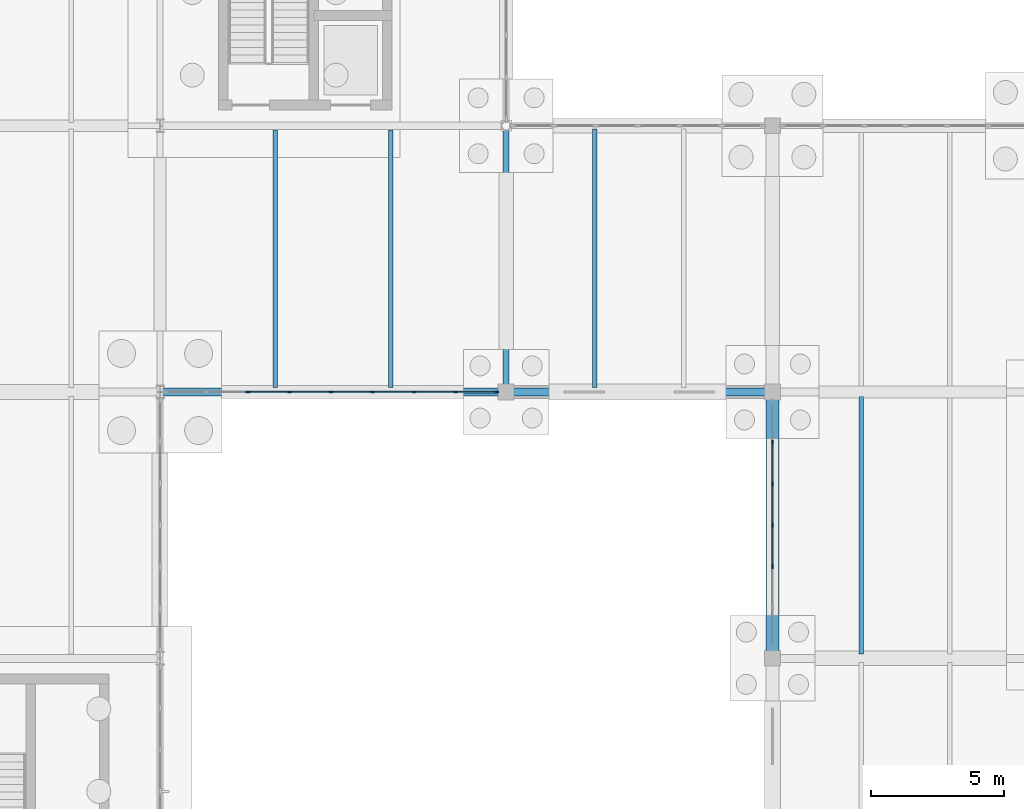
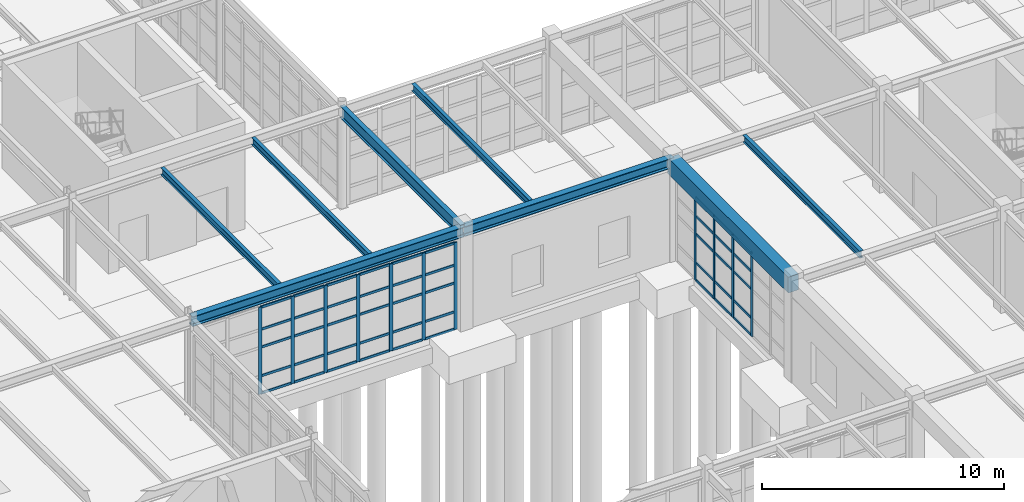
# One storey, part 72 of 145: 56 members, 8 beams, 2 elements without a shape of their own.
"""IFC4 building model written with IfcOpenShell, lengths in metres."""

from ifc_helpers import new_model, si_unit, direction, frame, origin, origin_2d, place, context, subcontext, project, spatial, rectangle, i_section, extrude, material, layer, layer_set, material_profile, profile_set, type_object, element, aggregate, save


model = new_model("IFC4")

# Units and contexts
model_context = context("Model", 3, precision=1e-05, world=origin(), true_north=direction((0.0, 1.0)))
body_context = subcontext(model_context, "Body", "Model", "MODEL_VIEW")
ifc_project = project(units=[si_unit("LENGTHUNIT", "METRE"), si_unit("AREAUNIT", "SQUARE_METRE"), si_unit("VOLUMEUNIT", "CUBIC_METRE"), si_unit("PLANEANGLEUNIT", "RADIAN"), si_unit("MASSUNIT", "GRAM", prefix="KILO"), si_unit("THERMODYNAMICTEMPERATUREUNIT", "KELVIN"), si_unit("POWERUNIT", "WATT")], contexts=[model_context])

# Site, building, storey
site_placement = place(None, origin())
site = spatial("IfcSite", under=ifc_project, at=site_placement, CompositionType="ELEMENT")
building_placement = place(site_placement, origin())
building = spatial("IfcBuilding", under=site, at=building_placement, Name="Korenveer Ferry Terminal", CompositionType="ELEMENT")
storey_placement = place(building_placement, origin())
storey = spatial("IfcBuildingStorey", under=building, at=storey_placement, Name="L00", CompositionType="ELEMENT", Elevation=0.0)

# Curtain wall, members
ifc_material_1 = material(Name="Unitised bronze-and-glass curtain wall", Category="glass")
ifc_layer_1 = layer(ifc_material_1, 0.159912109375)
ifc_layer_set_1 = layer_set([ifc_layer_1], Name="Unitised bronze-and-glass curtain wall")
curtain_wall_type_1 = type_object("IfcCurtainWallType", Name="ENV-CW-07", PredefinedType="USERDEFINED", material=ifc_layer_set_1)
curtain_wall_1_placement = place(storey_placement, frame((123.179931640625, 70.0, 0.0)))
curtain_wall_1 = element("IfcCurtainWall", 1, at=curtain_wall_1_placement, inside=storey, type_object=curtain_wall_type_1, Name="Lancet curtain wall CWX-L00-X123-136-Y70-70", ObjectType="UNITISED CURTAIN WALL", PredefinedType="USERDEFINED")
ifc_material_2 = material(Name="Anodised bronze aluminium", Category="aluminium")
ifc_material_profile_1 = material_profile(ifc_material_2, rectangle(XDim=0.06005859375, YDim=0.159912109375, at=origin_2d()), Name="ALU 60x160")
ifc_profile_set_1 = profile_set([ifc_material_profile_1], Name="Anodised bronze aluminium")
member_type_1 = type_object("IfcMemberType", Name="ENV-CWM-60X160", PredefinedType="MULLION", material=ifc_profile_set_1)
member_1_placement = place(storey_placement, frame((126.302490234375, 70.0, 0.0), z_axis=(0.0, 0.0, 1.0), x_axis=(0.0, 1.0, 0.0)))
member_1 = element("IfcMember", 2, at=member_1_placement, type_object=member_type_1, Name="CW-07 mullion 3", PredefinedType="MULLION", context=body_context, shape_type="SweptSolid", body=[
    extrude(rectangle(XDim=0.06005859375, YDim=0.159912109375, at=origin_2d()), origin(), (0.0, 0.0, 1.0), 4.389892578125),
])
member_2_placement = place(storey_placement, frame((127.86376953125, 70.0, 0.0), z_axis=(0.0, 0.0, 1.0), x_axis=(0.0, 1.0, 0.0)))
member_2 = element("IfcMember", 3, at=member_2_placement, type_object=member_type_1, Name="CW-07 mullion 4", PredefinedType="MULLION", context=body_context, shape_type="SweptSolid", body=[
    extrude(rectangle(XDim=0.06005859375, YDim=0.159912109375, at=origin_2d()), origin(), (0.0, 0.0, 1.0), 4.389892578125),
])
member_3_placement = place(storey_placement, frame((129.425048828125, 70.0, 0.0), z_axis=(0.0, 0.0, 1.0), x_axis=(0.0, 1.0, 0.0)))
member_3 = element("IfcMember", 4, at=member_3_placement, type_object=member_type_1, Name="CW-07 mullion 5", PredefinedType="MULLION", context=body_context, shape_type="SweptSolid", body=[
    extrude(rectangle(XDim=0.06005859375, YDim=0.159912109375, at=origin_2d()), origin(), (0.0, 0.0, 1.0), 4.389892578125),
])
member_4_placement = place(storey_placement, frame((130.986328125, 70.0, 0.0), z_axis=(0.0, 0.0, 1.0), x_axis=(0.0, 1.0, 0.0)))
member_4 = element("IfcMember", 5, at=member_4_placement, type_object=member_type_1, Name="CW-07 mullion 6", PredefinedType="MULLION", context=body_context, shape_type="SweptSolid", body=[
    extrude(rectangle(XDim=0.06005859375, YDim=0.159912109375, at=origin_2d()), origin(), (0.0, 0.0, 1.0), 4.389892578125),
])
member_5_placement = place(storey_placement, frame((132.547607421875, 70.0, 0.0), z_axis=(0.0, 0.0, 1.0), x_axis=(0.0, 1.0, 0.0)))
member_5 = element("IfcMember", 6, at=member_5_placement, type_object=member_type_1, Name="CW-07 mullion 7", PredefinedType="MULLION", context=body_context, shape_type="SweptSolid", body=[
    extrude(rectangle(XDim=0.06005859375, YDim=0.159912109375, at=origin_2d()), origin(), (0.0, 0.0, 1.0), 4.389892578125),
])
member_6_placement = place(storey_placement, frame((134.108642578125, 70.0, 0.0), z_axis=(0.0, 0.0, 1.0), x_axis=(0.0, 1.0, 0.0)))
member_6 = element("IfcMember", 7, at=member_6_placement, type_object=member_type_1, Name="CW-07 mullion 8", PredefinedType="MULLION", context=body_context, shape_type="SweptSolid", body=[
    extrude(rectangle(XDim=0.06005859375, YDim=0.159912109375, at=origin_2d()), origin(), (0.0, 0.0, 1.0), 4.389892578125),
])
member_7_placement = place(storey_placement, frame((135.639892578125, 70.0, 0.0), z_axis=(0.0, 0.0, 1.0), x_axis=(0.0, 1.0, 0.0)))
member_7 = element("IfcMember", 8, at=member_7_placement, type_object=member_type_1, Name="CW-07 mullion 9", PredefinedType="MULLION", context=body_context, shape_type="SweptSolid", body=[
    extrude(rectangle(XDim=0.06005859375, YDim=0.159912109375, at=origin_2d()), origin(), (0.0, 0.0, 1.0), 4.389892578125),
])

ifc_layer_2 = layer(ifc_material_1, 0.159912109375)
ifc_layer_set_2 = layer_set([ifc_layer_2], Name="Unitised bronze-and-glass curtain wall")
curtain_wall_type_2 = type_object("IfcCurtainWallType", Name="ENV-CW-32", PredefinedType="USERDEFINED", material=ifc_layer_set_2)
curtain_wall_2_placement = place(storey_placement, frame((146.0, 60.330078125, 0.0)))
curtain_wall_2 = element("IfcCurtainWall", 9, at=curtain_wall_2_placement, inside=storey, type_object=curtain_wall_type_2, Name="Lancet curtain wall CWX-L00-X146-146-Y60-70", ObjectType="UNITISED CURTAIN WALL", PredefinedType="USERDEFINED")
member_8_placement = place(storey_placement, frame((146.0, 63.443359375, 0.0), z_axis=(0.0, 0.0, 1.0), x_axis=(-1.0, 0.0, 0.0)))
member_8 = element("IfcMember", 10, at=member_8_placement, type_object=member_type_1, Name="CW-32 mullion 3", PredefinedType="MULLION", context=body_context, shape_type="SweptSolid", body=[
    extrude(rectangle(XDim=0.06005859375, YDim=0.159912109375, at=origin_2d()), origin(), (0.0, 0.0, 1.0), 4.18994140625),
])
member_9_placement = place(storey_placement, frame((146.0, 65.0, 0.0), z_axis=(0.0, 0.0, 1.0), x_axis=(-1.0, 0.0, 0.0)))
member_9 = element("IfcMember", 11, at=member_9_placement, type_object=member_type_1, Name="CW-32 mullion 4", PredefinedType="MULLION", context=body_context, shape_type="SweptSolid", body=[
    extrude(rectangle(XDim=0.06005859375, YDim=0.159912109375, at=origin_2d()), origin(), (0.0, 0.0, 1.0), 4.18994140625),
])
member_10_placement = place(storey_placement, frame((146.0, 66.556640625, 0.0), z_axis=(0.0, 0.0, 1.0), x_axis=(-1.0, 0.0, 0.0)))
member_10 = element("IfcMember", 12, at=member_10_placement, type_object=member_type_1, Name="CW-32 mullion 5", PredefinedType="MULLION", context=body_context, shape_type="SweptSolid", body=[
    extrude(rectangle(XDim=0.06005859375, YDim=0.159912109375, at=origin_2d()), origin(), (0.0, 0.0, 1.0), 4.18994140625),
])
member_11_placement = place(storey_placement, frame((146.0, 68.11328125, 0.0), z_axis=(0.0, 0.0, 1.0), x_axis=(-1.0, 0.0, 0.0)))
member_11 = element("IfcMember", 13, at=member_11_placement, type_object=member_type_1, Name="CW-32 mullion 6", PredefinedType="MULLION", context=body_context, shape_type="SweptSolid", body=[
    extrude(rectangle(XDim=0.06005859375, YDim=0.159912109375, at=origin_2d()), origin(), (0.0, 0.0, 1.0), 4.18994140625),
])

# Member
ifc_material_profile_2 = material_profile(ifc_material_2, rectangle(XDim=0.06005859375, YDim=0.1201171875, at=origin_2d()), Name="ALU 60x120")
ifc_profile_set_2 = profile_set([ifc_material_profile_2], Name="Anodised bronze aluminium")
member_type_2 = type_object("IfcMemberType", Name="ENV-CWT-60X120", PredefinedType="USERDEFINED", material=ifc_profile_set_2)
member_12_placement = place(storey_placement, frame((126.33251953125, 70.0, 0.030029296875), z_axis=(1.0, 0.0, 0.0), x_axis=(0.0, 1.0, 0.0)))
member_12 = element("IfcMember", 14, at=member_12_placement, type_object=member_type_2, Name="CW-07 transom 3.1", ObjectType="TRANSOM", PredefinedType="USERDEFINED", context=body_context, shape_type="SweptSolid", body=[
    extrude(rectangle(XDim=0.06005859375, YDim=0.1201171875, at=origin_2d()), origin(), (0.0, 0.0, 1.0), 1.501220703125),
])

member_13_placement = place(storey_placement, frame((126.33251953125, 70.0, 0.89990234375), z_axis=(1.0, 0.0, 0.0), x_axis=(0.0, 1.0, 0.0)))
member_13 = element("IfcMember", 15, at=member_13_placement, type_object=member_type_2, Name="CW-07 transom 3.2", ObjectType="TRANSOM", PredefinedType="USERDEFINED", context=body_context, shape_type="SweptSolid", body=[
    extrude(rectangle(XDim=0.06005859375, YDim=0.1201171875, at=origin_2d()), origin(), (0.0, 0.0, 1.0), 1.501220703125),
])

member_14_placement = place(storey_placement, frame((126.33251953125, 70.0, 2.35009765625), z_axis=(1.0, 0.0, 0.0), x_axis=(0.0, 1.0, 0.0)))
member_14 = element("IfcMember", 16, at=member_14_placement, type_object=member_type_2, Name="CW-07 transom 3.3", ObjectType="TRANSOM", PredefinedType="USERDEFINED", context=body_context, shape_type="SweptSolid", body=[
    extrude(rectangle(XDim=0.06005859375, YDim=0.1201171875, at=origin_2d()), origin(), (0.0, 0.0, 1.0), 1.501220703125),
])

member_15_placement = place(storey_placement, frame((126.33251953125, 70.0, 3.25), z_axis=(1.0, 0.0, 0.0), x_axis=(0.0, 1.0, 0.0)))
member_15 = element("IfcMember", 17, at=member_15_placement, type_object=member_type_2, Name="CW-07 transom 3.4", ObjectType="TRANSOM", PredefinedType="USERDEFINED", context=body_context, shape_type="SweptSolid", body=[
    extrude(rectangle(XDim=0.06005859375, YDim=0.1201171875, at=origin_2d()), origin(), (0.0, 0.0, 1.0), 1.501220703125),
])

member_16_placement = place(storey_placement, frame((126.33251953125, 70.0, 4.360107421875), z_axis=(1.0, 0.0, 0.0), x_axis=(0.0, 1.0, 0.0)))
member_16 = element("IfcMember", 18, at=member_16_placement, type_object=member_type_2, Name="CW-07 transom 3.5", ObjectType="TRANSOM", PredefinedType="USERDEFINED", context=body_context, shape_type="SweptSolid", body=[
    extrude(rectangle(XDim=0.06005859375, YDim=0.1201171875, at=origin_2d()), origin(), (0.0, 0.0, 1.0), 1.501220703125),
])

member_17_placement = place(storey_placement, frame((127.893798828125, 70.0, 0.030029296875), z_axis=(1.0, 0.0, 0.0), x_axis=(0.0, 1.0, 0.0)))
member_17 = element("IfcMember", 19, at=member_17_placement, type_object=member_type_2, Name="CW-07 transom 4.1", ObjectType="TRANSOM", PredefinedType="USERDEFINED", context=body_context, shape_type="SweptSolid", body=[
    extrude(rectangle(XDim=0.06005859375, YDim=0.1201171875, at=origin_2d()), origin(), (0.0, 0.0, 1.0), 1.501220703125),
])

member_18_placement = place(storey_placement, frame((127.893798828125, 70.0, 0.89990234375), z_axis=(1.0, 0.0, 0.0), x_axis=(0.0, 1.0, 0.0)))
member_18 = element("IfcMember", 20, at=member_18_placement, type_object=member_type_2, Name="CW-07 transom 4.2", ObjectType="TRANSOM", PredefinedType="USERDEFINED", context=body_context, shape_type="SweptSolid", body=[
    extrude(rectangle(XDim=0.06005859375, YDim=0.1201171875, at=origin_2d()), origin(), (0.0, 0.0, 1.0), 1.501220703125),
])

member_19_placement = place(storey_placement, frame((127.893798828125, 70.0, 2.35009765625), z_axis=(1.0, 0.0, 0.0), x_axis=(0.0, 1.0, 0.0)))
member_19 = element("IfcMember", 21, at=member_19_placement, type_object=member_type_2, Name="CW-07 transom 4.3", ObjectType="TRANSOM", PredefinedType="USERDEFINED", context=body_context, shape_type="SweptSolid", body=[
    extrude(rectangle(XDim=0.06005859375, YDim=0.1201171875, at=origin_2d()), origin(), (0.0, 0.0, 1.0), 1.501220703125),
])

member_20_placement = place(storey_placement, frame((127.893798828125, 70.0, 3.25), z_axis=(1.0, 0.0, 0.0), x_axis=(0.0, 1.0, 0.0)))
member_20 = element("IfcMember", 22, at=member_20_placement, type_object=member_type_2, Name="CW-07 transom 4.4", ObjectType="TRANSOM", PredefinedType="USERDEFINED", context=body_context, shape_type="SweptSolid", body=[
    extrude(rectangle(XDim=0.06005859375, YDim=0.1201171875, at=origin_2d()), origin(), (0.0, 0.0, 1.0), 1.501220703125),
])

member_21_placement = place(storey_placement, frame((127.893798828125, 70.0, 4.360107421875), z_axis=(1.0, 0.0, 0.0), x_axis=(0.0, 1.0, 0.0)))
member_21 = element("IfcMember", 23, at=member_21_placement, type_object=member_type_2, Name="CW-07 transom 4.5", ObjectType="TRANSOM", PredefinedType="USERDEFINED", context=body_context, shape_type="SweptSolid", body=[
    extrude(rectangle(XDim=0.06005859375, YDim=0.1201171875, at=origin_2d()), origin(), (0.0, 0.0, 1.0), 1.501220703125),
])

member_22_placement = place(storey_placement, frame((129.455078125, 70.0, 0.030029296875), z_axis=(1.0, 0.0, 0.0), x_axis=(0.0, 1.0, 0.0)))
member_22 = element("IfcMember", 24, at=member_22_placement, type_object=member_type_2, Name="CW-07 transom 5.1", ObjectType="TRANSOM", PredefinedType="USERDEFINED", context=body_context, shape_type="SweptSolid", body=[
    extrude(rectangle(XDim=0.06005859375, YDim=0.1201171875, at=origin_2d()), origin(), (0.0, 0.0, 1.0), 1.501220703125),
])

member_23_placement = place(storey_placement, frame((129.455078125, 70.0, 0.89990234375), z_axis=(1.0, 0.0, 0.0), x_axis=(0.0, 1.0, 0.0)))
member_23 = element("IfcMember", 25, at=member_23_placement, type_object=member_type_2, Name="CW-07 transom 5.2", ObjectType="TRANSOM", PredefinedType="USERDEFINED", context=body_context, shape_type="SweptSolid", body=[
    extrude(rectangle(XDim=0.06005859375, YDim=0.1201171875, at=origin_2d()), origin(), (0.0, 0.0, 1.0), 1.501220703125),
])

member_24_placement = place(storey_placement, frame((129.455078125, 70.0, 2.35009765625), z_axis=(1.0, 0.0, 0.0), x_axis=(0.0, 1.0, 0.0)))
member_24 = element("IfcMember", 26, at=member_24_placement, type_object=member_type_2, Name="CW-07 transom 5.3", ObjectType="TRANSOM", PredefinedType="USERDEFINED", context=body_context, shape_type="SweptSolid", body=[
    extrude(rectangle(XDim=0.06005859375, YDim=0.1201171875, at=origin_2d()), origin(), (0.0, 0.0, 1.0), 1.501220703125),
])

member_25_placement = place(storey_placement, frame((129.455078125, 70.0, 3.25), z_axis=(1.0, 0.0, 0.0), x_axis=(0.0, 1.0, 0.0)))
member_25 = element("IfcMember", 27, at=member_25_placement, type_object=member_type_2, Name="CW-07 transom 5.4", ObjectType="TRANSOM", PredefinedType="USERDEFINED", context=body_context, shape_type="SweptSolid", body=[
    extrude(rectangle(XDim=0.06005859375, YDim=0.1201171875, at=origin_2d()), origin(), (0.0, 0.0, 1.0), 1.501220703125),
])

member_26_placement = place(storey_placement, frame((129.455078125, 70.0, 4.360107421875), z_axis=(1.0, 0.0, 0.0), x_axis=(0.0, 1.0, 0.0)))
member_26 = element("IfcMember", 28, at=member_26_placement, type_object=member_type_2, Name="CW-07 transom 5.5", ObjectType="TRANSOM", PredefinedType="USERDEFINED", context=body_context, shape_type="SweptSolid", body=[
    extrude(rectangle(XDim=0.06005859375, YDim=0.1201171875, at=origin_2d()), origin(), (0.0, 0.0, 1.0), 1.501220703125),
])

member_27_placement = place(storey_placement, frame((131.016357421875, 70.0, 0.030029296875), z_axis=(1.0, 0.0, 0.0), x_axis=(0.0, 1.0, 0.0)))
member_27 = element("IfcMember", 29, at=member_27_placement, type_object=member_type_2, Name="CW-07 transom 6.1", ObjectType="TRANSOM", PredefinedType="USERDEFINED", context=body_context, shape_type="SweptSolid", body=[
    extrude(rectangle(XDim=0.06005859375, YDim=0.1201171875, at=origin_2d()), origin(), (0.0, 0.0, 1.0), 1.501220703125),
])

member_28_placement = place(storey_placement, frame((131.016357421875, 70.0, 0.89990234375), z_axis=(1.0, 0.0, 0.0), x_axis=(0.0, 1.0, 0.0)))
member_28 = element("IfcMember", 30, at=member_28_placement, type_object=member_type_2, Name="CW-07 transom 6.2", ObjectType="TRANSOM", PredefinedType="USERDEFINED", context=body_context, shape_type="SweptSolid", body=[
    extrude(rectangle(XDim=0.06005859375, YDim=0.1201171875, at=origin_2d()), origin(), (0.0, 0.0, 1.0), 1.501220703125),
])

member_29_placement = place(storey_placement, frame((131.016357421875, 70.0, 2.35009765625), z_axis=(1.0, 0.0, 0.0), x_axis=(0.0, 1.0, 0.0)))
member_29 = element("IfcMember", 31, at=member_29_placement, type_object=member_type_2, Name="CW-07 transom 6.3", ObjectType="TRANSOM", PredefinedType="USERDEFINED", context=body_context, shape_type="SweptSolid", body=[
    extrude(rectangle(XDim=0.06005859375, YDim=0.1201171875, at=origin_2d()), origin(), (0.0, 0.0, 1.0), 1.501220703125),
])

member_30_placement = place(storey_placement, frame((131.016357421875, 70.0, 3.25), z_axis=(1.0, 0.0, 0.0), x_axis=(0.0, 1.0, 0.0)))
member_30 = element("IfcMember", 32, at=member_30_placement, type_object=member_type_2, Name="CW-07 transom 6.4", ObjectType="TRANSOM", PredefinedType="USERDEFINED", context=body_context, shape_type="SweptSolid", body=[
    extrude(rectangle(XDim=0.06005859375, YDim=0.1201171875, at=origin_2d()), origin(), (0.0, 0.0, 1.0), 1.501220703125),
])

member_31_placement = place(storey_placement, frame((131.016357421875, 70.0, 4.360107421875), z_axis=(1.0, 0.0, 0.0), x_axis=(0.0, 1.0, 0.0)))
member_31 = element("IfcMember", 33, at=member_31_placement, type_object=member_type_2, Name="CW-07 transom 6.5", ObjectType="TRANSOM", PredefinedType="USERDEFINED", context=body_context, shape_type="SweptSolid", body=[
    extrude(rectangle(XDim=0.06005859375, YDim=0.1201171875, at=origin_2d()), origin(), (0.0, 0.0, 1.0), 1.501220703125),
])

member_32_placement = place(storey_placement, frame((132.577392578125, 70.0, 0.030029296875), z_axis=(1.0, 0.0, 0.0), x_axis=(0.0, 1.0, 0.0)))
member_32 = element("IfcMember", 34, at=member_32_placement, type_object=member_type_2, Name="CW-07 transom 7.1", ObjectType="TRANSOM", PredefinedType="USERDEFINED", context=body_context, shape_type="SweptSolid", body=[
    extrude(rectangle(XDim=0.06005859375, YDim=0.1201171875, at=origin_2d()), origin(), (0.0, 0.0, 1.0), 1.50146484375),
])

member_33_placement = place(storey_placement, frame((132.577392578125, 70.0, 0.89990234375), z_axis=(1.0, 0.0, 0.0), x_axis=(0.0, 1.0, 0.0)))
member_33 = element("IfcMember", 35, at=member_33_placement, type_object=member_type_2, Name="CW-07 transom 7.2", ObjectType="TRANSOM", PredefinedType="USERDEFINED", context=body_context, shape_type="SweptSolid", body=[
    extrude(rectangle(XDim=0.06005859375, YDim=0.1201171875, at=origin_2d()), origin(), (0.0, 0.0, 1.0), 1.50146484375),
])

member_34_placement = place(storey_placement, frame((132.577392578125, 70.0, 2.35009765625), z_axis=(1.0, 0.0, 0.0), x_axis=(0.0, 1.0, 0.0)))
member_34 = element("IfcMember", 36, at=member_34_placement, type_object=member_type_2, Name="CW-07 transom 7.3", ObjectType="TRANSOM", PredefinedType="USERDEFINED", context=body_context, shape_type="SweptSolid", body=[
    extrude(rectangle(XDim=0.06005859375, YDim=0.1201171875, at=origin_2d()), origin(), (0.0, 0.0, 1.0), 1.50146484375),
])

member_35_placement = place(storey_placement, frame((132.577392578125, 70.0, 3.25), z_axis=(1.0, 0.0, 0.0), x_axis=(0.0, 1.0, 0.0)))
member_35 = element("IfcMember", 37, at=member_35_placement, type_object=member_type_2, Name="CW-07 transom 7.4", ObjectType="TRANSOM", PredefinedType="USERDEFINED", context=body_context, shape_type="SweptSolid", body=[
    extrude(rectangle(XDim=0.06005859375, YDim=0.1201171875, at=origin_2d()), origin(), (0.0, 0.0, 1.0), 1.50146484375),
])

member_36_placement = place(storey_placement, frame((132.577392578125, 70.0, 4.360107421875), z_axis=(1.0, 0.0, 0.0), x_axis=(0.0, 1.0, 0.0)))
member_36 = element("IfcMember", 38, at=member_36_placement, type_object=member_type_2, Name="CW-07 transom 7.5", ObjectType="TRANSOM", PredefinedType="USERDEFINED", context=body_context, shape_type="SweptSolid", body=[
    extrude(rectangle(XDim=0.06005859375, YDim=0.1201171875, at=origin_2d()), origin(), (0.0, 0.0, 1.0), 1.50146484375),
])

member_37_placement = place(storey_placement, frame((134.138671875, 70.0, 0.030029296875), z_axis=(1.0, 0.0, 0.0), x_axis=(0.0, 1.0, 0.0)))
member_37 = element("IfcMember", 39, at=member_37_placement, type_object=member_type_2, Name="CW-07 transom 8.1", ObjectType="TRANSOM", PredefinedType="USERDEFINED", context=body_context, shape_type="SweptSolid", body=[
    extrude(rectangle(XDim=0.06005859375, YDim=0.1201171875, at=origin_2d()), origin(), (0.0, 0.0, 1.0), 1.471435546875),
])

member_38_placement = place(storey_placement, frame((134.138671875, 70.0, 0.89990234375), z_axis=(1.0, 0.0, 0.0), x_axis=(0.0, 1.0, 0.0)))
member_38 = element("IfcMember", 40, at=member_38_placement, type_object=member_type_2, Name="CW-07 transom 8.2", ObjectType="TRANSOM", PredefinedType="USERDEFINED", context=body_context, shape_type="SweptSolid", body=[
    extrude(rectangle(XDim=0.06005859375, YDim=0.1201171875, at=origin_2d()), origin(), (0.0, 0.0, 1.0), 1.471435546875),
])

member_39_placement = place(storey_placement, frame((134.138671875, 70.0, 2.35009765625), z_axis=(1.0, 0.0, 0.0), x_axis=(0.0, 1.0, 0.0)))
member_39 = element("IfcMember", 41, at=member_39_placement, type_object=member_type_2, Name="CW-07 transom 8.3", ObjectType="TRANSOM", PredefinedType="USERDEFINED", context=body_context, shape_type="SweptSolid", body=[
    extrude(rectangle(XDim=0.06005859375, YDim=0.1201171875, at=origin_2d()), origin(), (0.0, 0.0, 1.0), 1.471435546875),
])

member_40_placement = place(storey_placement, frame((134.138671875, 70.0, 3.25), z_axis=(1.0, 0.0, 0.0), x_axis=(0.0, 1.0, 0.0)))
member_40 = element("IfcMember", 42, at=member_40_placement, type_object=member_type_2, Name="CW-07 transom 8.4", ObjectType="TRANSOM", PredefinedType="USERDEFINED", context=body_context, shape_type="SweptSolid", body=[
    extrude(rectangle(XDim=0.06005859375, YDim=0.1201171875, at=origin_2d()), origin(), (0.0, 0.0, 1.0), 1.471435546875),
])

member_41_placement = place(storey_placement, frame((134.138671875, 70.0, 4.360107421875), z_axis=(1.0, 0.0, 0.0), x_axis=(0.0, 1.0, 0.0)))
member_41 = element("IfcMember", 43, at=member_41_placement, type_object=member_type_2, Name="CW-07 transom 8.5", ObjectType="TRANSOM", PredefinedType="USERDEFINED", context=body_context, shape_type="SweptSolid", body=[
    extrude(rectangle(XDim=0.06005859375, YDim=0.1201171875, at=origin_2d()), origin(), (0.0, 0.0, 1.0), 1.471435546875),
])

aggregate(curtain_wall_1, [member_1, member_2, member_3, member_4, member_5, member_6, member_7, member_12, member_13, member_14, member_15, member_16, member_17, member_18, member_19, member_20, member_21, member_22, member_23, member_24, member_25, member_26, member_27, member_28, member_29, member_30, member_31, member_32, member_33, member_34, member_35, member_36, member_37, member_38, member_39, member_40, member_41])

member_42_placement = place(storey_placement, frame((146.0, 63.473388671875, 0.030029296875), z_axis=(0.0, 1.0, 0.0), x_axis=(-1.0, 0.0, 0.0)))
member_42 = element("IfcMember", 44, at=member_42_placement, type_object=member_type_2, Name="CW-32 transom 3.1", ObjectType="TRANSOM", PredefinedType="USERDEFINED", context=body_context, shape_type="SweptSolid", body=[
    extrude(rectangle(XDim=0.06005859375, YDim=0.1201171875, at=origin_2d()), origin(), (0.0, 0.0, 1.0), 1.49658203125),
])

member_43_placement = place(storey_placement, frame((146.0, 63.473388671875, 0.89990234375), z_axis=(0.0, 1.0, 0.0), x_axis=(-1.0, 0.0, 0.0)))
member_43 = element("IfcMember", 45, at=member_43_placement, type_object=member_type_2, Name="CW-32 transom 3.2", ObjectType="TRANSOM", PredefinedType="USERDEFINED", context=body_context, shape_type="SweptSolid", body=[
    extrude(rectangle(XDim=0.06005859375, YDim=0.1201171875, at=origin_2d()), origin(), (0.0, 0.0, 1.0), 1.49658203125),
])

member_44_placement = place(storey_placement, frame((146.0, 63.473388671875, 2.35009765625), z_axis=(0.0, 1.0, 0.0), x_axis=(-1.0, 0.0, 0.0)))
member_44 = element("IfcMember", 46, at=member_44_placement, type_object=member_type_2, Name="CW-32 transom 3.3", ObjectType="TRANSOM", PredefinedType="USERDEFINED", context=body_context, shape_type="SweptSolid", body=[
    extrude(rectangle(XDim=0.06005859375, YDim=0.1201171875, at=origin_2d()), origin(), (0.0, 0.0, 1.0), 1.49658203125),
])

member_45_placement = place(storey_placement, frame((146.0, 63.473388671875, 3.25), z_axis=(0.0, 1.0, 0.0), x_axis=(-1.0, 0.0, 0.0)))
member_45 = element("IfcMember", 47, at=member_45_placement, type_object=member_type_2, Name="CW-32 transom 3.4", ObjectType="TRANSOM", PredefinedType="USERDEFINED", context=body_context, shape_type="SweptSolid", body=[
    extrude(rectangle(XDim=0.06005859375, YDim=0.1201171875, at=origin_2d()), origin(), (0.0, 0.0, 1.0), 1.49658203125),
])

member_46_placement = place(storey_placement, frame((146.0, 63.473388671875, 4.159912109375), z_axis=(0.0, 1.0, 0.0), x_axis=(-1.0, 0.0, 0.0)))
member_46 = element("IfcMember", 48, at=member_46_placement, type_object=member_type_2, Name="CW-32 transom 3.5", ObjectType="TRANSOM", PredefinedType="USERDEFINED", context=body_context, shape_type="SweptSolid", body=[
    extrude(rectangle(XDim=0.06005859375, YDim=0.1201171875, at=origin_2d()), origin(), (0.0, 0.0, 1.0), 1.49658203125),
])

member_47_placement = place(storey_placement, frame((146.0, 65.030029296875, 0.030029296875), z_axis=(0.0, 1.0, 0.0), x_axis=(-1.0, 0.0, 0.0)))
member_47 = element("IfcMember", 49, at=member_47_placement, type_object=member_type_2, Name="CW-32 transom 4.1", ObjectType="TRANSOM", PredefinedType="USERDEFINED", context=body_context, shape_type="SweptSolid", body=[
    extrude(rectangle(XDim=0.06005859375, YDim=0.1201171875, at=origin_2d()), origin(), (0.0, 0.0, 1.0), 1.49658203125),
])

member_48_placement = place(storey_placement, frame((146.0, 65.030029296875, 0.89990234375), z_axis=(0.0, 1.0, 0.0), x_axis=(-1.0, 0.0, 0.0)))
member_48 = element("IfcMember", 50, at=member_48_placement, type_object=member_type_2, Name="CW-32 transom 4.2", ObjectType="TRANSOM", PredefinedType="USERDEFINED", context=body_context, shape_type="SweptSolid", body=[
    extrude(rectangle(XDim=0.06005859375, YDim=0.1201171875, at=origin_2d()), origin(), (0.0, 0.0, 1.0), 1.49658203125),
])

member_49_placement = place(storey_placement, frame((146.0, 65.030029296875, 2.35009765625), z_axis=(0.0, 1.0, 0.0), x_axis=(-1.0, 0.0, 0.0)))
member_49 = element("IfcMember", 51, at=member_49_placement, type_object=member_type_2, Name="CW-32 transom 4.3", ObjectType="TRANSOM", PredefinedType="USERDEFINED", context=body_context, shape_type="SweptSolid", body=[
    extrude(rectangle(XDim=0.06005859375, YDim=0.1201171875, at=origin_2d()), origin(), (0.0, 0.0, 1.0), 1.49658203125),
])

member_50_placement = place(storey_placement, frame((146.0, 65.030029296875, 3.25), z_axis=(0.0, 1.0, 0.0), x_axis=(-1.0, 0.0, 0.0)))
member_50 = element("IfcMember", 52, at=member_50_placement, type_object=member_type_2, Name="CW-32 transom 4.4", ObjectType="TRANSOM", PredefinedType="USERDEFINED", context=body_context, shape_type="SweptSolid", body=[
    extrude(rectangle(XDim=0.06005859375, YDim=0.1201171875, at=origin_2d()), origin(), (0.0, 0.0, 1.0), 1.49658203125),
])

member_51_placement = place(storey_placement, frame((146.0, 65.030029296875, 4.159912109375), z_axis=(0.0, 1.0, 0.0), x_axis=(-1.0, 0.0, 0.0)))
member_51 = element("IfcMember", 53, at=member_51_placement, type_object=member_type_2, Name="CW-32 transom 4.5", ObjectType="TRANSOM", PredefinedType="USERDEFINED", context=body_context, shape_type="SweptSolid", body=[
    extrude(rectangle(XDim=0.06005859375, YDim=0.1201171875, at=origin_2d()), origin(), (0.0, 0.0, 1.0), 1.49658203125),
])

member_52_placement = place(storey_placement, frame((146.0, 66.586669921875, 0.030029296875), z_axis=(0.0, 1.0, 0.0), x_axis=(-1.0, 0.0, 0.0)))
member_52 = element("IfcMember", 54, at=member_52_placement, type_object=member_type_2, Name="CW-32 transom 5.1", ObjectType="TRANSOM", PredefinedType="USERDEFINED", context=body_context, shape_type="SweptSolid", body=[
    extrude(rectangle(XDim=0.06005859375, YDim=0.1201171875, at=origin_2d()), origin(), (0.0, 0.0, 1.0), 1.49658203125),
])

member_53_placement = place(storey_placement, frame((146.0, 66.586669921875, 0.89990234375), z_axis=(0.0, 1.0, 0.0), x_axis=(-1.0, 0.0, 0.0)))
member_53 = element("IfcMember", 55, at=member_53_placement, type_object=member_type_2, Name="CW-32 transom 5.2", ObjectType="TRANSOM", PredefinedType="USERDEFINED", context=body_context, shape_type="SweptSolid", body=[
    extrude(rectangle(XDim=0.06005859375, YDim=0.1201171875, at=origin_2d()), origin(), (0.0, 0.0, 1.0), 1.49658203125),
])

member_54_placement = place(storey_placement, frame((146.0, 66.586669921875, 2.35009765625), z_axis=(0.0, 1.0, 0.0), x_axis=(-1.0, 0.0, 0.0)))
member_54 = element("IfcMember", 56, at=member_54_placement, type_object=member_type_2, Name="CW-32 transom 5.3", ObjectType="TRANSOM", PredefinedType="USERDEFINED", context=body_context, shape_type="SweptSolid", body=[
    extrude(rectangle(XDim=0.06005859375, YDim=0.1201171875, at=origin_2d()), origin(), (0.0, 0.0, 1.0), 1.49658203125),
])

member_55_placement = place(storey_placement, frame((146.0, 66.586669921875, 3.25), z_axis=(0.0, 1.0, 0.0), x_axis=(-1.0, 0.0, 0.0)))
member_55 = element("IfcMember", 57, at=member_55_placement, type_object=member_type_2, Name="CW-32 transom 5.4", ObjectType="TRANSOM", PredefinedType="USERDEFINED", context=body_context, shape_type="SweptSolid", body=[
    extrude(rectangle(XDim=0.06005859375, YDim=0.1201171875, at=origin_2d()), origin(), (0.0, 0.0, 1.0), 1.49658203125),
])

member_56_placement = place(storey_placement, frame((146.0, 66.586669921875, 4.159912109375), z_axis=(0.0, 1.0, 0.0), x_axis=(-1.0, 0.0, 0.0)))
member_56 = element("IfcMember", 58, at=member_56_placement, type_object=member_type_2, Name="CW-32 transom 5.5", ObjectType="TRANSOM", PredefinedType="USERDEFINED", context=body_context, shape_type="SweptSolid", body=[
    extrude(rectangle(XDim=0.06005859375, YDim=0.1201171875, at=origin_2d()), origin(), (0.0, 0.0, 1.0), 1.49658203125),
])

aggregate(curtain_wall_2, [member_8, member_9, member_10, member_11, member_42, member_43, member_44, member_45, member_46, member_47, member_48, member_49, member_50, member_51, member_52, member_53, member_54, member_55, member_56])

# Beams
ifc_material_3 = material(Name="Steel S355", Category="steel")
ifc_material_profile_3 = material_profile(ifc_material_3, i_section(OverallWidth=0.300048828125, OverallDepth=0.5, WebThickness=0.014404296875, FlangeThickness=0.028076171875, FilletRadius=0.027099609375, at=origin_2d()), Name="HEB 500")
ifc_profile_set_3 = profile_set([ifc_material_profile_3], Name="Steel S355")
beam_type_1 = type_object("IfcBeamType", Name="STR-BM-HEB500", PredefinedType="BEAM", material=ifc_profile_set_3)
beam_1_placement = place(storey_placement, frame((123.02001953125, 70.0, 4.8701171875), z_axis=(1.0, 0.0, 0.0), x_axis=(0.0, 1.0, 0.0)))
element("IfcBeam", 59, at=beam_1_placement, inside=storey, type_object=beam_type_1, Name="Primary X girder BMX-L01-X123-136-Y70", PredefinedType="BEAM", context=body_context, shape_type="SweptSolid", body=[
    extrude(i_section(OverallWidth=0.300048828125, OverallDepth=0.5, WebThickness=0.014404296875, FlangeThickness=0.028076171875, FilletRadius=0.027099609375, at=origin_2d()), origin(), (0.0, 0.0, 1.0), 12.9599609375),
])
beam_2_placement = place(storey_placement, frame((136.02001953125, 70.0, 4.8701171875), z_axis=(1.0, 0.0, 0.0), x_axis=(0.0, 1.0, 0.0)))
element("IfcBeam", 60, at=beam_2_placement, inside=storey, type_object=beam_type_1, Name="Primary X girder BMX-L01-X136-146-Y70", PredefinedType="BEAM", context=body_context, shape_type="SweptSolid", body=[
    extrude(i_section(OverallWidth=0.300048828125, OverallDepth=0.5, WebThickness=0.014404296875, FlangeThickness=0.028076171875, FilletRadius=0.027099609375, at=origin_2d()), origin(), (0.0, 0.0, 1.0), 9.9599609375),
])
ifc_material_profile_4 = material_profile(ifc_material_3, i_section(OverallWidth=0.219970703125, OverallDepth=0.60009765625, WebThickness=0.011962890625, FlangeThickness=0.01904296875, FilletRadius=0.02392578125, at=origin_2d()), Name="IPE 600")
ifc_profile_set_4 = profile_set([ifc_material_profile_4], Name="Steel S355")
beam_type_2 = type_object("IfcBeamType", Name="STR-BM-IPE600", PredefinedType="BEAM", material=ifc_profile_set_4)
beam_3_placement = place(storey_placement, frame((136.0, 70.02001953125, 4.820068359375), z_axis=(0.0, 1.0, 0.0), x_axis=(-1.0, 0.0, 0.0)))
element("IfcBeam", 61, at=beam_3_placement, inside=storey, type_object=beam_type_2, Name="Primary Y girder BMY-L01-X136-Y70-80", PredefinedType="BEAM", context=body_context, shape_type="SweptSolid", body=[
    extrude(i_section(OverallWidth=0.219970703125, OverallDepth=0.60009765625, WebThickness=0.011962890625, FlangeThickness=0.01904296875, FilletRadius=0.02392578125, at=origin_2d()), origin(), (0.0, 0.0, 1.0), 9.9599609375),
])
ifc_material_4 = material(Name="Concrete C40/50", Category="concrete")
ifc_material_profile_5 = material_profile(ifc_material_4, rectangle(XDim=0.5, YDim=0.800048828125, at=origin_2d()), Name="RC 500x800")
ifc_profile_set_5 = profile_set([ifc_material_profile_5], Name="Concrete C40/50")
beam_type_3 = type_object("IfcBeamType", Name="STR-BM-RC500X800", PredefinedType="BEAM", material=ifc_profile_set_5)
beam_4_placement = place(storey_placement, frame((146.0, 60.02001953125, 4.719970703125), z_axis=(0.0, 1.0, 0.0), x_axis=(-1.0, 0.0, 0.0)))
element("IfcBeam", 62, at=beam_4_placement, inside=storey, type_object=beam_type_3, Name="Primary Y girder BMY-L01-X146-Y60-70", PredefinedType="BEAM", context=body_context, shape_type="SweptSolid", body=[
    extrude(rectangle(XDim=0.5, YDim=0.800048828125, at=origin_2d()), origin(), (0.0, 0.0, 1.0), 9.9599609375),
])
ifc_material_profile_6 = material_profile(ifc_material_3, i_section(OverallWidth=0.169921875, OverallDepth=0.360107421875, WebThickness=0.008056640625, FlangeThickness=0.0126953125, FilletRadius=0.01806640625, at=origin_2d()), Name="IPE 360")
ifc_profile_set_6 = profile_set([ifc_material_profile_6], Name="Steel S355")
beam_type_4 = type_object("IfcBeamType", Name="STR-JST-IPE360", PredefinedType="JOIST", material=ifc_profile_set_6)
for number, where, z_axis, x_axis, name in (
    (63, (127.333251953125, 70.159912109375, 4.93994140625), (0.0, 1.0, 0.0), (-1.0, 0.0, 0.0), "Secondary composite joist JST-L01-X1273-Y70-80"),
    (64, (131.666748046875, 70.159912109375, 4.93994140625), (0.0, 1.0, 0.0), (-1.0, 0.0, 0.0), "Secondary composite joist JST-L01-X1317-Y70-80"),
):
    element("IfcBeam", number, at=place(storey_placement, frame(where, z_axis=z_axis, x_axis=x_axis)), inside=storey, type_object=beam_type_4, Name=name, PredefinedType="JOIST", context=body_context, shape_type="SweptSolid", body=[
        extrude(i_section(OverallWidth=0.169921875, OverallDepth=0.360107421875, WebThickness=0.008056640625, FlangeThickness=0.0126953125, FilletRadius=0.01806640625, at=origin_2d()), origin(), (0.0, 0.0, 1.0), 9.68017578125),
    ])
beam_5_placement = place(storey_placement, frame((139.333251953125, 70.159912109375, 4.93994140625), z_axis=(0.0, 1.0, 0.0), x_axis=(-1.0, 0.0, 0.0)))
element("IfcBeam", 65, at=beam_5_placement, inside=storey, type_object=beam_type_4, Name="Secondary composite joist JST-L01-X1393-Y70-80", PredefinedType="JOIST", context=body_context, shape_type="SweptSolid", body=[
    extrude(i_section(OverallWidth=0.169921875, OverallDepth=0.360107421875, WebThickness=0.008056640625, FlangeThickness=0.0126953125, FilletRadius=0.01806640625, at=origin_2d()), origin(), (0.0, 0.0, 1.0), 9.72509765625),
])
beam_6_placement = place(storey_placement, frame((149.333251953125, 60.159912109375, 4.93994140625), z_axis=(0.0, 1.0, 0.0), x_axis=(-1.0, 0.0, 0.0)))
element("IfcBeam", 66, at=beam_6_placement, inside=storey, type_object=beam_type_4, Name="Secondary composite joist JST-L01-X1493-Y60-70", PredefinedType="JOIST", context=body_context, shape_type="SweptSolid", body=[
    extrude(i_section(OverallWidth=0.169921875, OverallDepth=0.360107421875, WebThickness=0.008056640625, FlangeThickness=0.0126953125, FilletRadius=0.01806640625, at=origin_2d()), origin(), (0.0, 0.0, 1.0), 9.68017578125),
])

save(model, "model.ifc")
